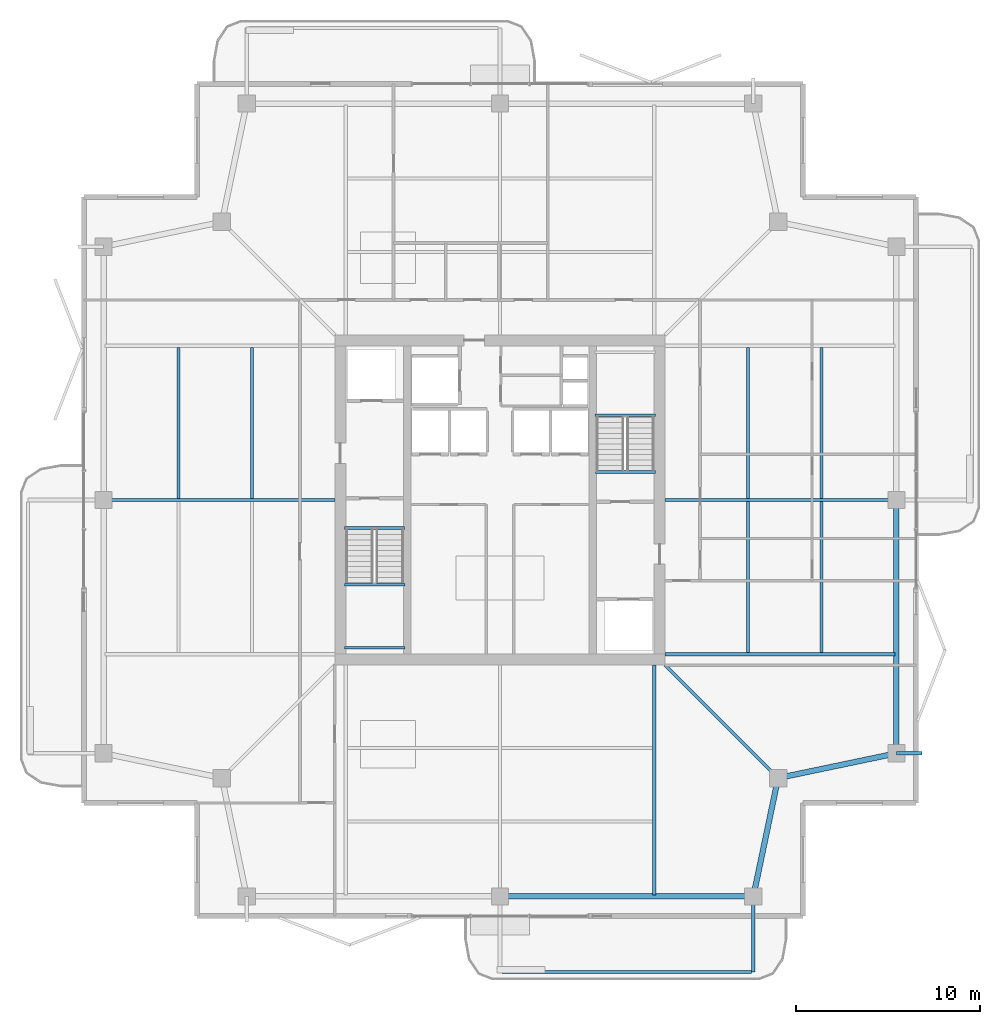
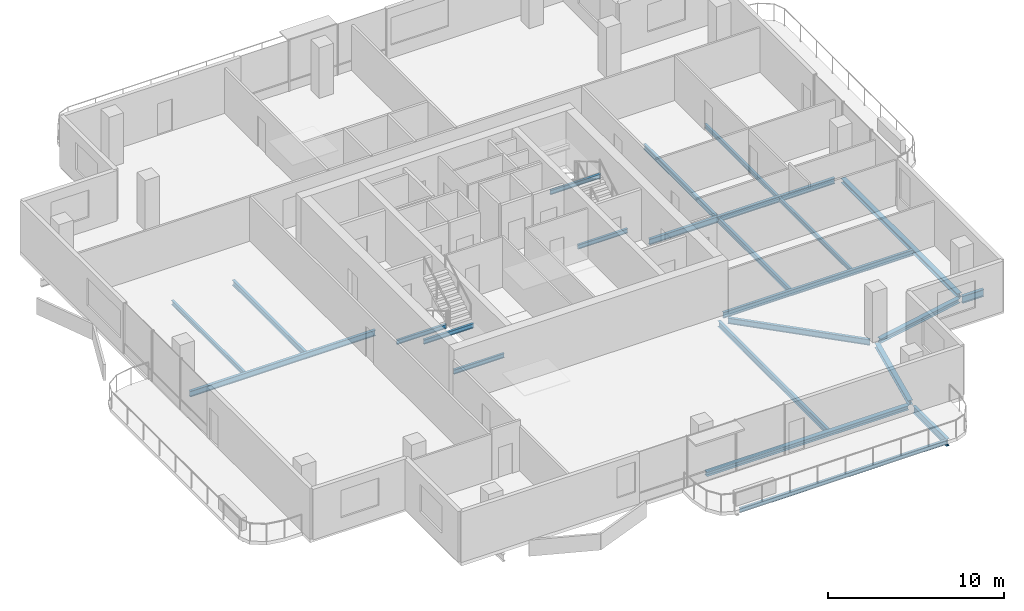
# One storey, part 7 of 18: 23 beams.
"""IFC4 building model written with IfcOpenShell, lengths in metres."""

from ifc_helpers import new_model, si_unit, direction, frame, origin, origin_2d, place, context, subcontext, project, spatial, i_section, extrude, material, material_profile, profile_set, type_object, element, save


model = new_model("IFC4")

# Units and contexts
model_context = context("Model", 3, precision=1e-05, world=origin(), true_north=direction((0.0, 1.0)))
body_context = subcontext(model_context, "Body", "Model", "MODEL_VIEW")
ifc_project = project(units=[si_unit("LENGTHUNIT", "METRE"), si_unit("AREAUNIT", "SQUARE_METRE"), si_unit("VOLUMEUNIT", "CUBIC_METRE"), si_unit("PLANEANGLEUNIT", "RADIAN"), si_unit("MASSUNIT", "GRAM", prefix="KILO")], contexts=[model_context])

# Site, building, storey
site_placement = place(None, origin())
site = spatial("IfcSite", under=ifc_project, at=site_placement, CompositionType="ELEMENT")
building_placement = place(site_placement, origin())
building = spatial("IfcBuilding", under=site, at=building_placement, Name="Belovzor Exchange Tower", CompositionType="ELEMENT")
storey_placement = place(building_placement, frame((0.0, 0.0, 318.0)))
storey = spatial("IfcBuildingStorey", under=building, at=storey_placement, Name="L79", CompositionType="ELEMENT", Elevation=318.0)

# Beams
ifc_material_1 = material(Name="Steel S355", Category="steel")
ifc_material_profile_1 = material_profile(ifc_material_1, i_section(OverallWidth=0.199951171875, OverallDepth=0.5, WebThickness=0.01025390625, FlangeThickness=0.01611328125, at=origin_2d()))
ifc_profile_set_1 = profile_set([ifc_material_profile_1], Name="Steel S355")
beam_type_1 = type_object("IfcBeamType", Name="Planted Balcony Cantilever Beam IPE 500", PredefinedType="BEAM", material=ifc_profile_set_1)
beam_1_placement = place(storey_placement, frame((42.60009765625, 6.93896484375, -0.489990234375), z_axis=(0.0, -1.0, 0.0), x_axis=(1.0, 0.0, 0.0)))
element("IfcBeam", 1, at=beam_1_placement, inside=storey, type_object=beam_type_1, Name="BC-500 Planted Balcony Cantilever Beam IPE 500", PredefinedType="BEAM", context=body_context, shape_type="SweptSolid", body=[
    extrude(i_section(OverallWidth=0.199951171875, OverallDepth=0.5, WebThickness=0.01025390625, FlangeThickness=0.01611328125, at=origin_2d()), origin(), (0.0, 0.0, 1.0), 3.849853515625),
])
beam_2_placement = place(storey_placement, frame((50.39990234375, 15.0, -0.489990234375), z_axis=(1.0, 0.0, 0.0), x_axis=(0.0, 1.0, 0.0)))
element("IfcBeam", 2, at=beam_2_placement, inside=storey, type_object=beam_type_1, Name="BC-500 Planted Balcony Cantilever Beam IPE 500", PredefinedType="BEAM", context=body_context, shape_type="SweptSolid", body=[
    extrude(i_section(OverallWidth=0.199951171875, OverallDepth=0.5, WebThickness=0.01025390625, FlangeThickness=0.01611328125, at=origin_2d()), origin(), (0.0, 0.0, 1.0), 1.400146484375),
])
ifc_material_2 = material(Name="Steel S355", Category="steel")
ifc_material_profile_2 = material_profile(ifc_material_2, i_section(OverallWidth=0.14990234375, OverallDepth=0.300048828125, WebThickness=0.007080078125, FlangeThickness=0.0107421875, at=origin_2d()))
ifc_profile_set_2 = profile_set([ifc_material_profile_2], Name="Steel S355")
beam_type_2 = type_object("IfcBeamType", Name="Planted Balcony Fascia Edge Beam IPE 300", PredefinedType="BEAM", material=ifc_profile_set_2)
beam_3_placement = place(storey_placement, frame((28.89990234375, 3.089111328125, -0.389892578125), z_axis=(1.0, 0.0, 0.0), x_axis=(0.0, 1.0, 0.0)))
element("IfcBeam", 3, at=beam_3_placement, inside=storey, type_object=beam_type_2, Name="BC-300 Planted Balcony Fascia Edge Beam IPE 300", PredefinedType="BEAM", context=body_context, shape_type="SweptSolid", body=[
    extrude(i_section(OverallWidth=0.14990234375, OverallDepth=0.300048828125, WebThickness=0.007080078125, FlangeThickness=0.0107421875, at=origin_2d()), origin(), (0.0, 0.0, 1.0), 13.60009765625),
])
ifc_material_3 = material(Name="Steel S355", Category="steel")
ifc_material_profile_3 = material_profile(ifc_material_3, i_section(OverallWidth=0.169921875, OverallDepth=0.360107421875, WebThickness=0.008056640625, FlangeThickness=0.0126953125, at=origin_2d()))
ifc_profile_set_3 = profile_set([ifc_material_profile_3], Name="Steel S355")
beam_type_3 = type_object("IfcBeamType", Name="Secondary Infill Floor Joist IPE 360", PredefinedType="BEAM", material=ifc_profile_set_3)
beam_4_placement = place(storey_placement, frame((15.291015625, 28.889892578125, -0.419921875), z_axis=(0.0, 1.0, 0.0), x_axis=(-1.0, 0.0, 0.0)))
element("IfcBeam", 4, at=beam_4_placement, inside=storey, type_object=beam_type_3, Name="FJ-360 Secondary Infill Floor Joist IPE 360", PredefinedType="BEAM", context=body_context, shape_type="SweptSolid", body=[
    extrude(i_section(OverallWidth=0.169921875, OverallDepth=0.360107421875, WebThickness=0.008056640625, FlangeThickness=0.0126953125, at=origin_2d()), origin(), (0.0, 0.0, 1.0), 8.22021484375),
])
beam_5_placement = place(storey_placement, frame((42.30908203125, 20.489990234375, -0.419921875), z_axis=(0.0, 1.0, 0.0), x_axis=(-1.0, 0.0, 0.0)))
element("IfcBeam", 5, at=beam_5_placement, inside=storey, type_object=beam_type_3, Name="FJ-360 Secondary Infill Floor Joist IPE 360", PredefinedType="BEAM", context=body_context, shape_type="SweptSolid", body=[
    extrude(i_section(OverallWidth=0.169921875, OverallDepth=0.360107421875, WebThickness=0.008056640625, FlangeThickness=0.0126953125, at=origin_2d()), origin(), (0.0, 0.0, 1.0), 8.219970703125),
])
beam_6_placement = place(storey_placement, frame((42.30908203125, 28.889892578125, -0.419921875), z_axis=(0.0, 1.0, 0.0), x_axis=(-1.0, 0.0, 0.0)))
element("IfcBeam", 6, at=beam_6_placement, inside=storey, type_object=beam_type_3, Name="FJ-360 Secondary Infill Floor Joist IPE 360", PredefinedType="BEAM", context=body_context, shape_type="SweptSolid", body=[
    extrude(i_section(OverallWidth=0.169921875, OverallDepth=0.360107421875, WebThickness=0.008056640625, FlangeThickness=0.0126953125, at=origin_2d()), origin(), (0.0, 0.0, 1.0), 8.22021484375),
])
ifc_material_4 = material(Name="Steel S355", Category="steel")
ifc_material_profile_4 = material_profile(ifc_material_4, i_section(OverallWidth=0.14990234375, OverallDepth=0.300048828125, WebThickness=0.007080078125, FlangeThickness=0.0107421875, at=origin_2d()))
ifc_profile_set_4 = profile_set([ifc_material_profile_4], Name="Steel S355")
beam_type_4 = type_object("IfcBeamType", Name="Secondary Trim Floor Joist IPE 300", PredefinedType="BEAM", material=ifc_profile_set_4)
for number, where, z_axis, x_axis, name in (
    (7, (20.320068359375, 24.179931640625, 1.52490234375), (1.0, 0.0, 0.0), (0.0, 1.0, 0.0), "FJ-300 Secondary Trim Floor Joist IPE 300"),
    (8, (20.320068359375, 20.75, 1.52490234375), (1.0, 0.0, 0.0), (0.0, 1.0, 0.0), "FJ-300 Secondary Trim Floor Joist IPE 300"),
):
    element("IfcBeam", number, at=place(storey_placement, frame(where, z_axis=z_axis, x_axis=x_axis)), inside=storey, type_object=beam_type_4, Name=name, PredefinedType="BEAM", context=body_context, shape_type="SweptSolid", body=[
        extrude(i_section(OverallWidth=0.14990234375, OverallDepth=0.300048828125, WebThickness=0.007080078125, FlangeThickness=0.0107421875, at=origin_2d()), origin(), (0.0, 0.0, 1.0), 3.309814453125),
    ])
beam_7_placement = place(storey_placement, frame((20.340087890625, 27.280029296875, -0.389892578125), z_axis=(1.0, 0.0, 0.0), x_axis=(0.0, 1.0, 0.0)))
element("IfcBeam", 9, at=beam_7_placement, inside=storey, type_object=beam_type_4, Name="FJ-300 Secondary Trim Floor Joist IPE 300", PredefinedType="BEAM", context=body_context, shape_type="SweptSolid", body=[
    extrude(i_section(OverallWidth=0.14990234375, OverallDepth=0.300048828125, WebThickness=0.007080078125, FlangeThickness=0.0107421875, at=origin_2d()), origin(), (0.0, 0.0, 1.0), 3.27001953125),
])
beam_8_placement = place(storey_placement, frame((37.280029296875, 33.419921875, 1.52490234375), z_axis=(-1.0, 0.0, 0.0), x_axis=(0.0, -1.0, 0.0)))
element("IfcBeam", 10, at=beam_8_placement, inside=storey, type_object=beam_type_4, Name="FJ-300 Secondary Trim Floor Joist IPE 300", PredefinedType="BEAM", context=body_context, shape_type="SweptSolid", body=[
    extrude(i_section(OverallWidth=0.14990234375, OverallDepth=0.300048828125, WebThickness=0.007080078125, FlangeThickness=0.0107421875, at=origin_2d()), origin(), (0.0, 0.0, 1.0), 3.31005859375),
])
beam_9_placement = place(storey_placement, frame((37.260009765625, 30.320068359375, -0.389892578125), z_axis=(-1.0, 0.0, 0.0), x_axis=(0.0, -1.0, 0.0)))
element("IfcBeam", 11, at=beam_9_placement, inside=storey, type_object=beam_type_4, Name="FJ-300 Secondary Trim Floor Joist IPE 300", PredefinedType="BEAM", context=body_context, shape_type="SweptSolid", body=[
    extrude(i_section(OverallWidth=0.14990234375, OverallDepth=0.300048828125, WebThickness=0.007080078125, FlangeThickness=0.0107421875, at=origin_2d()), origin(), (0.0, 0.0, 1.0), 3.27001953125),
])
beam_10_placement = place(storey_placement, frame((11.282958984375, 28.889892578125, -0.389892578125), z_axis=(0.0, 1.0, 0.0), x_axis=(-1.0, 0.0, 0.0)))
element("IfcBeam", 12, at=beam_10_placement, inside=storey, type_object=beam_type_4, Name="FJ-300 Secondary Trim Floor Joist IPE 300", PredefinedType="BEAM", context=body_context, shape_type="SweptSolid", body=[
    extrude(i_section(OverallWidth=0.14990234375, OverallDepth=0.300048828125, WebThickness=0.007080078125, FlangeThickness=0.0107421875, at=origin_2d()), origin(), (0.0, 0.0, 1.0), 8.22021484375),
])
beam_11_placement = place(storey_placement, frame((46.31689453125, 20.489990234375, -0.389892578125), z_axis=(0.0, 1.0, 0.0), x_axis=(-1.0, 0.0, 0.0)))
element("IfcBeam", 13, at=beam_11_placement, inside=storey, type_object=beam_type_4, Name="FJ-300 Secondary Trim Floor Joist IPE 300", PredefinedType="BEAM", context=body_context, shape_type="SweptSolid", body=[
    extrude(i_section(OverallWidth=0.14990234375, OverallDepth=0.300048828125, WebThickness=0.007080078125, FlangeThickness=0.0107421875, at=origin_2d()), origin(), (0.0, 0.0, 1.0), 8.219970703125),
])
beam_12_placement = place(storey_placement, frame((46.31689453125, 28.889892578125, -0.389892578125), z_axis=(0.0, 1.0, 0.0), x_axis=(-1.0, 0.0, 0.0)))
element("IfcBeam", 14, at=beam_12_placement, inside=storey, type_object=beam_type_4, Name="FJ-300 Secondary Trim Floor Joist IPE 300", PredefinedType="BEAM", context=body_context, shape_type="SweptSolid", body=[
    extrude(i_section(OverallWidth=0.14990234375, OverallDepth=0.300048828125, WebThickness=0.007080078125, FlangeThickness=0.0107421875, at=origin_2d()), origin(), (0.0, 0.0, 1.0), 8.22021484375),
])
ifc_material_5 = material(Name="Steel S355", Category="steel")
ifc_material_profile_5 = material_profile(ifc_material_5, i_section(OverallWidth=0.179931640625, OverallDepth=0.39990234375, WebThickness=0.008544921875, FlangeThickness=0.013427734375, at=origin_2d()))
ifc_profile_set_5 = profile_set([ifc_material_profile_5], Name="Steel S355")
beam_type_5 = type_object("IfcBeamType", Name="Zone 5-6 Radial Composite Floor Beam IPE 400", PredefinedType="BEAM", material=ifc_profile_set_5)
beam_13_placement = place(storey_placement, frame((37.199951171875, 19.800048828125, -0.43994140625), z_axis=(0.0, -1.0, 0.0), x_axis=(1.0, 0.0, 0.0)))
element("IfcBeam", 15, at=beam_13_placement, inside=storey, type_object=beam_type_5, Name="FB-400 Zone 5-6 Radial Composite Floor Beam IPE 400", PredefinedType="BEAM", context=body_context, shape_type="SweptSolid", body=[
    extrude(i_section(OverallWidth=0.179931640625, OverallDepth=0.39990234375, WebThickness=0.008544921875, FlangeThickness=0.013427734375, at=origin_2d()), origin(), (0.0, 0.0, 1.0), 12.525146484375),
])
beam_14_placement = place(storey_placement, frame((19.800048828125, 28.800048828125, -0.43994140625), z_axis=(-1.0, 0.0, 0.0), x_axis=(0.0, -1.0, 0.0)))
element("IfcBeam", 16, at=beam_14_placement, inside=storey, type_object=beam_type_5, Name="FB-400 Zone 5-6 Radial Composite Floor Beam IPE 400", PredefinedType="BEAM", context=body_context, shape_type="SweptSolid", body=[
    extrude(i_section(OverallWidth=0.179931640625, OverallDepth=0.39990234375, WebThickness=0.008544921875, FlangeThickness=0.013427734375, at=origin_2d()), origin(), (0.0, 0.0, 1.0), 12.18212890625),
])
beam_15_placement = place(storey_placement, frame((37.800048828125, 20.39990234375, -0.43994140625), z_axis=(1.0, 0.0, 0.0), x_axis=(0.0, 1.0, 0.0)))
element("IfcBeam", 17, at=beam_15_placement, inside=storey, type_object=beam_type_5, Name="FB-400 Zone 5-6 Radial Composite Floor Beam IPE 400", PredefinedType="BEAM", context=body_context, shape_type="SweptSolid", body=[
    extrude(i_section(OverallWidth=0.179931640625, OverallDepth=0.39990234375, WebThickness=0.008544921875, FlangeThickness=0.013427734375, at=origin_2d()), origin(), (0.0, 0.0, 1.0), 12.52490234375),
])
beam_16_placement = place(storey_placement, frame((37.800048828125, 28.800048828125, -0.43994140625), z_axis=(1.0, 0.0, 0.0), x_axis=(0.0, 1.0, 0.0)))
element("IfcBeam", 18, at=beam_16_placement, inside=storey, type_object=beam_type_5, Name="FB-400 Zone 5-6 Radial Composite Floor Beam IPE 400", PredefinedType="BEAM", context=body_context, shape_type="SweptSolid", body=[
    extrude(i_section(OverallWidth=0.179931640625, OverallDepth=0.39990234375, WebThickness=0.008544921875, FlangeThickness=0.013427734375, at=origin_2d()), origin(), (0.0, 0.0, 1.0), 12.181884765625),
])
beam_17_placement = place(storey_placement, frame((37.800048828125, 19.800048828125, -0.43994140625), z_axis=(0.707150577091, -0.707062982569, 0.0), x_axis=(0.707062982569, 0.707150577091, 0.0)))
element("IfcBeam", 19, at=beam_17_placement, inside=storey, type_object=beam_type_5, Name="FB-400 Zone 5-6 Radial Composite Floor Beam IPE 400", PredefinedType="BEAM", context=body_context, shape_type="SweptSolid", body=[
    extrude(i_section(OverallWidth=0.179931640625, OverallDepth=0.39990234375, WebThickness=0.008544921875, FlangeThickness=0.013427734375, at=origin_2d()), origin(), (0.0, 0.0, 1.0), 8.361572265625),
])
ifc_material_6 = material(Name="Steel S355", Category="steel")
ifc_material_profile_6 = material_profile(ifc_material_6, i_section(OverallWidth=0.300048828125, OverallDepth=0.300048828125, WebThickness=0.008544921875, FlangeThickness=0.013916015625, at=origin_2d()))
ifc_profile_set_6 = profile_set([ifc_material_profile_6], Name="Steel S355")
beam_type_6 = type_object("IfcBeamType", Name="Zone 6 Primary Girder HEA 300", PredefinedType="BEAM", material=ifc_profile_set_6)
beam_18_placement = place(storey_placement, frame((29.06103515625, 7.199951171875, -0.389892578125), z_axis=(1.0, 0.0, 0.0), x_axis=(0.0, 1.0, 0.0)))
element("IfcBeam", 20, at=beam_18_placement, inside=storey, type_object=beam_type_6, Name="FG-Z6 Zone 6 Primary Girder HEA 300", PredefinedType="BEAM", context=body_context, shape_type="SweptSolid", body=[
    extrude(i_section(OverallWidth=0.300048828125, OverallDepth=0.300048828125, WebThickness=0.008544921875, FlangeThickness=0.013916015625, at=origin_2d()), origin(), (0.0, 0.0, 1.0), 13.278076171875),
])
for number, where, z_axis, x_axis, name in (
    (21, (42.654052734375, 7.4560546875, -0.389892578125), (0.204722380619, 0.978820078908, 0.0), (-0.978820078908, 0.204722380619, 0.0), "FG-Z6 Zone 6 Primary Girder HEA 300"),
    (22, (44.2060546875, 13.7041015625, -0.389892578125), (0.978820078908, 0.204722380619, 0.0), (-0.204722380619, 0.978820078908, 0.0), "FG-Z6 Zone 6 Primary Girder HEA 300"),
):
    element("IfcBeam", number, at=place(storey_placement, frame(where, z_axis=z_axis, x_axis=x_axis)), inside=storey, type_object=beam_type_6, Name=name, PredefinedType="BEAM", context=body_context, shape_type="SweptSolid", body=[
        extrude(i_section(OverallWidth=0.300048828125, OverallDepth=0.300048828125, WebThickness=0.008544921875, FlangeThickness=0.013916015625, at=origin_2d()), origin(), (0.0, 0.0, 1.0), 6.06640625),
    ])
beam_19_placement = place(storey_placement, frame((50.39990234375, 15.260986328125, -0.389892578125), z_axis=(0.0, 1.0, 0.0), x_axis=(-1.0, 0.0, 0.0)))
element("IfcBeam", 23, at=beam_19_placement, inside=storey, type_object=beam_type_6, Name="FG-Z6 Zone 6 Primary Girder HEA 300", PredefinedType="BEAM", context=body_context, shape_type="SweptSolid", body=[
    extrude(i_section(OverallWidth=0.300048828125, OverallDepth=0.300048828125, WebThickness=0.008544921875, FlangeThickness=0.013916015625, at=origin_2d()), origin(), (0.0, 0.0, 1.0), 13.278076171875),
])

save(model, "model.ifc")
